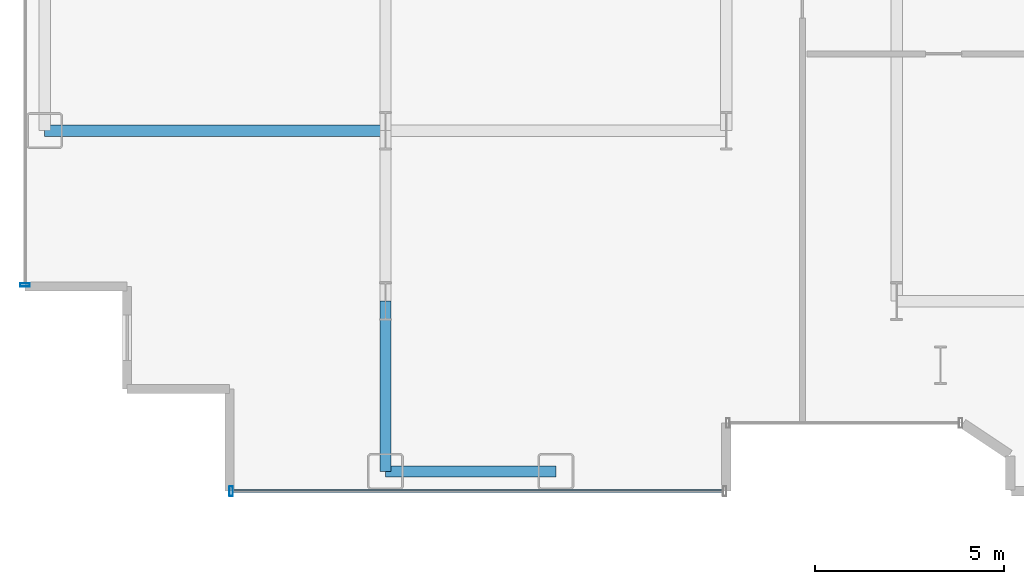
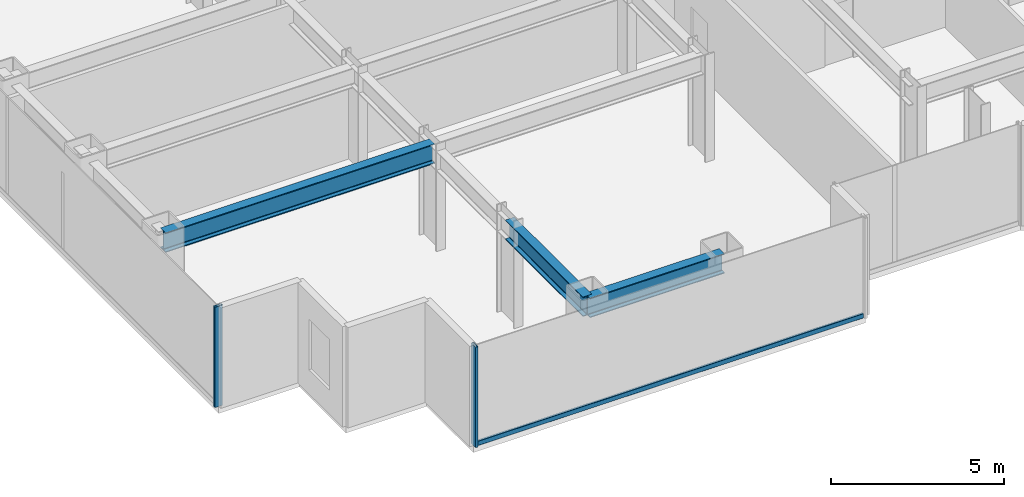
# One storey, part 2 of 25: 3 beams, 3 members, 2 elements without a shape of their own.
"""IFC4 building model written with IfcOpenShell, lengths in metres."""

from ifc_helpers import new_model, si_unit, direction, frame, origin, origin_2d, place, context, subcontext, project, spatial, hollow_rectangle, i_section, extrude, source, transform, mapped, material, layer, layer_set, material_profile, profile_set, type_object, element, aggregate, save


model = new_model("IFC4")

# Units and contexts
model_context = context("Model", 3, precision=1e-05, world=origin(), true_north=direction((0.0, 1.0)))
body_context = subcontext(model_context, "Body", "Model", "MODEL_VIEW")
ifc_project = project(units=[si_unit("LENGTHUNIT", "METRE"), si_unit("AREAUNIT", "SQUARE_METRE"), si_unit("VOLUMEUNIT", "CUBIC_METRE"), si_unit("PLANEANGLEUNIT", "RADIAN"), si_unit("MASSUNIT", "GRAM", prefix="KILO")], contexts=[model_context])

# Site, building, storey
site_placement = place(None, origin())
site = spatial("IfcSite", under=ifc_project, at=site_placement, CompositionType="ELEMENT")
building_placement = place(site_placement, origin())
building = spatial("IfcBuilding", under=site, at=building_placement, Name="Nefas-Gora Pilgrimage Tower", CompositionType="ELEMENT")
storey_placement = place(building_placement, frame((0.0, 0.0, 71.0)))
storey = spatial("IfcBuildingStorey", under=building, at=storey_placement, Name="L16", CompositionType="ELEMENT", Elevation=71.0)

# Beams
ifc_material_1 = material(Name="Steel S355", Category="steel")
ifc_material_profile_1 = material_profile(ifc_material_1, i_section(OverallWidth=0.300048828125, OverallDepth=0.699951171875, WebThickness=0.01708984375, FlangeThickness=0.031982421875, FilletRadius=0.027099609375, at=origin_2d()), Name="HEB 700")
ifc_profile_set_1 = profile_set([ifc_material_profile_1], Name="Steel S355")
beam_type_1 = type_object("IfcBeamType", Name="BM-SPN-HEB600", PredefinedType="SPANDREL", material=ifc_profile_set_1)
shared_shape_1 = source(origin(), body_context, "Body", "SweptSolid", [
    extrude(i_section(OverallWidth=0.300048828125, OverallDepth=0.699951171875, WebThickness=0.01708984375, FlangeThickness=0.031982421875, FilletRadius=0.027099609375, at=origin_2d()), origin(), (0.0, 0.0, 1.0), 4.5),
])
beam_1_placement = place(storey_placement, frame((-24.75, -22.5, 3.199951171875), z_axis=(1.0, 0.0, 0.0), x_axis=(0.0, 1.0, 0.0)))
element("IfcBeam", 1, at=beam_1_placement, inside=storey, type_object=beam_type_1, Name="L16 SP-01 beam", PredefinedType="SPANDREL", context=body_context, shape_type="MappedRepresentation", body=[
    mapped(shared_shape_1, transform((0.0, 0.0, 0.0), x_axis=(1.0, 0.0, 0.0), y_axis=(0.0, 1.0, 0.0), z_axis=(0.0, 0.0, 1.0), scale=1.0)),
])
ifc_material_profile_2 = material_profile(ifc_material_1, i_section(OverallWidth=0.300048828125, OverallDepth=0.699951171875, WebThickness=0.01708984375, FlangeThickness=0.031982421875, FilletRadius=0.027099609375, at=origin_2d()), Name="HEB 700")
ifc_profile_set_2 = profile_set([ifc_material_profile_2], Name="Steel S355")
beam_type_2 = type_object("IfcBeamType", Name="BM-GIR-HEB700", PredefinedType="BEAM", material=ifc_profile_set_2)
shared_shape_2 = source(origin(), body_context, "Body", "SweptSolid", [
    extrude(i_section(OverallWidth=0.300048828125, OverallDepth=0.699951171875, WebThickness=0.01708984375, FlangeThickness=0.031982421875, FilletRadius=0.027099609375, at=origin_2d()), origin(), (0.0, 0.0, 1.0), 9.0),
])
beam_2_placement = place(storey_placement, frame((-33.75, -13.5, 3.199951171875), z_axis=(1.0, 0.0, 0.0), x_axis=(0.0, 1.0, 0.0)))
element("IfcBeam", 2, at=beam_2_placement, inside=storey, type_object=beam_type_2, Name="L16 G-02 beam", PredefinedType="BEAM", context=body_context, shape_type="MappedRepresentation", body=[
    mapped(shared_shape_2, transform((0.0, 0.0, 0.0), x_axis=(1.0, 0.0, 0.0), y_axis=(0.0, 1.0, 0.0), z_axis=(0.0, 0.0, 1.0), scale=1.0)),
])
shared_shape_3 = source(origin(), body_context, "Body", "SweptSolid", [
    extrude(i_section(OverallWidth=0.300048828125, OverallDepth=0.699951171875, WebThickness=0.01708984375, FlangeThickness=0.031982421875, FilletRadius=0.027099609375, at=origin_2d()), origin(), (0.0, 0.0, 1.0), 4.5),
])
beam_3_placement = place(storey_placement, frame((-24.75, -22.5, 3.199951171875), z_axis=(0.0, 1.0, 0.0), x_axis=(-1.0, 0.0, 0.0)))
element("IfcBeam", 3, at=beam_3_placement, inside=storey, type_object=beam_type_2, Name="L16 G-02 beam", PredefinedType="BEAM", context=body_context, shape_type="MappedRepresentation", body=[
    mapped(shared_shape_3, transform((0.0, 0.0, 0.0), x_axis=(1.0, 0.0, 0.0), y_axis=(0.0, 1.0, 0.0), z_axis=(0.0, 0.0, 1.0), scale=1.0)),
])

# Curtain wall, member
ifc_material_2 = material(Name="Dark ceramic-fritted solar-control aluminium-glass curtain wall", Category="aluminium")
ifc_layer = layer(ifc_material_2, 0.219970703125)
ifc_layer_set = layer_set([ifc_layer], Name="Dark ceramic-fritted solar-control aluminium-glass curtain wall")
curtain_wall_type = type_object("IfcCurtainWallType", Name="CW-SYS-2", PredefinedType="NOTDEFINED", material=ifc_layer_set)
curtain_wall_1_placement = place(storey_placement, origin())
curtain_wall_1 = element("IfcCurtainWall", 4, at=curtain_wall_1_placement, inside=storey, type_object=curtain_wall_type, Name="L16 Unitised Curtain Wall CW2", PredefinedType="NOTDEFINED")
ifc_material_3 = material(Name="Anodised architectural aluminium", Category="aluminium")
ifc_material_profile_3 = material_profile(ifc_material_3, hollow_rectangle(XDim=0.090087890625, YDim=0.260009765625, WallThickness=0.006103515625, InnerFilletRadius=0.006103515625, OuterFilletRadius=0.011962890625, at=origin_2d()), Name="ALU MULLION 90x260")
ifc_profile_set_3 = profile_set([ifc_material_profile_3], Name="Anodised architectural aluminium")
member_type_1 = type_object("IfcMemberType", Name="CWM-MUL-2", PredefinedType="MULLION", material=ifc_profile_set_3)
shared_shape_4 = source(origin(), body_context, "Body", "SweptSolid", [
    extrude(hollow_rectangle(XDim=0.090087890625, YDim=0.260009765625, WallThickness=0.006103515625, InnerFilletRadius=0.006103515625, OuterFilletRadius=0.011962890625, at=origin_2d()), origin(), (0.0, 0.0, 1.0), 3.550048828125),
])
member_1_placement = place(storey_placement, frame((-34.27001953125, -17.574951171875, 0.0), z_axis=(0.0, 0.0, 1.0), x_axis=(0.0, -1.0, 0.0)))
member_1 = element("IfcMember", 5, at=member_1_placement, type_object=member_type_1, Name="CW2 Mullion 2", PredefinedType="MULLION", context=body_context, shape_type="MappedRepresentation", body=[
    mapped(shared_shape_4, transform((0.0, 0.0, 0.0), x_axis=(1.0, 0.0, 0.0), y_axis=(0.0, 1.0, 0.0), z_axis=(0.0, 0.0, 1.0), scale=1.0)),
])
aggregate(curtain_wall_1, [member_1])

# Curtain wall, members
curtain_wall_2_placement = place(storey_placement, origin())
curtain_wall_2 = element("IfcCurtainWall", 6, at=curtain_wall_2_placement, inside=storey, type_object=curtain_wall_type, Name="L16 Unitised Curtain Wall CW2", PredefinedType="NOTDEFINED")
member_2_placement = place(storey_placement, frame((-28.824951171875, -23.02001953125, 0.0), z_axis=(0.0, 0.0, 1.0), x_axis=(1.0, 0.0, 0.0)))
member_2 = element("IfcMember", 7, at=member_2_placement, type_object=member_type_1, Name="CW2 Mullion 1", PredefinedType="MULLION", context=body_context, shape_type="MappedRepresentation", body=[
    mapped(shared_shape_4, transform((0.0, 0.0, 0.0), x_axis=(1.0, 0.0, 0.0), y_axis=(0.0, 1.0, 0.0), z_axis=(0.0, 0.0, 1.0), scale=1.0)),
])
ifc_material_profile_4 = material_profile(ifc_material_3, hollow_rectangle(XDim=0.080078125, YDim=0.159912109375, WallThickness=0.00439453125, InnerFilletRadius=0.00439453125, OuterFilletRadius=0.009033203125, at=origin_2d()), Name="ALU TRANSOM 80x160")
ifc_profile_set_4 = profile_set([ifc_material_profile_4], Name="Anodised architectural aluminium")
member_type_2 = type_object("IfcMemberType", Name="CWM-TRN-2", PredefinedType="USERDEFINED", material=ifc_profile_set_4)
shared_shape_5 = source(origin(), body_context, "Body", "SweptSolid", [
    extrude(hollow_rectangle(XDim=0.080078125, YDim=0.159912109375, WallThickness=0.00439453125, InnerFilletRadius=0.00439453125, OuterFilletRadius=0.009033203125, at=origin_2d()), origin(), (0.0, 0.0, 1.0), 12.93994140625),
])
member_3_placement = place(storey_placement, frame((-28.780029296875, -23.02001953125, 0.050048828125), z_axis=(1.0, 0.0, 0.0), x_axis=(0.0, 1.0, 0.0)))
member_3 = element("IfcMember", 8, at=member_3_placement, type_object=member_type_2, Name="CW2 Spandrel Transom", ObjectType="TRANSOM", PredefinedType="USERDEFINED", context=body_context, shape_type="MappedRepresentation", body=[
    mapped(shared_shape_5, transform((0.0, 0.0, 0.0), x_axis=(1.0, 0.0, 0.0), y_axis=(0.0, 1.0, 0.0), z_axis=(0.0, 0.0, 1.0), scale=1.0)),
])
aggregate(curtain_wall_2, [member_2, member_3])

save(model, "model.ifc")
